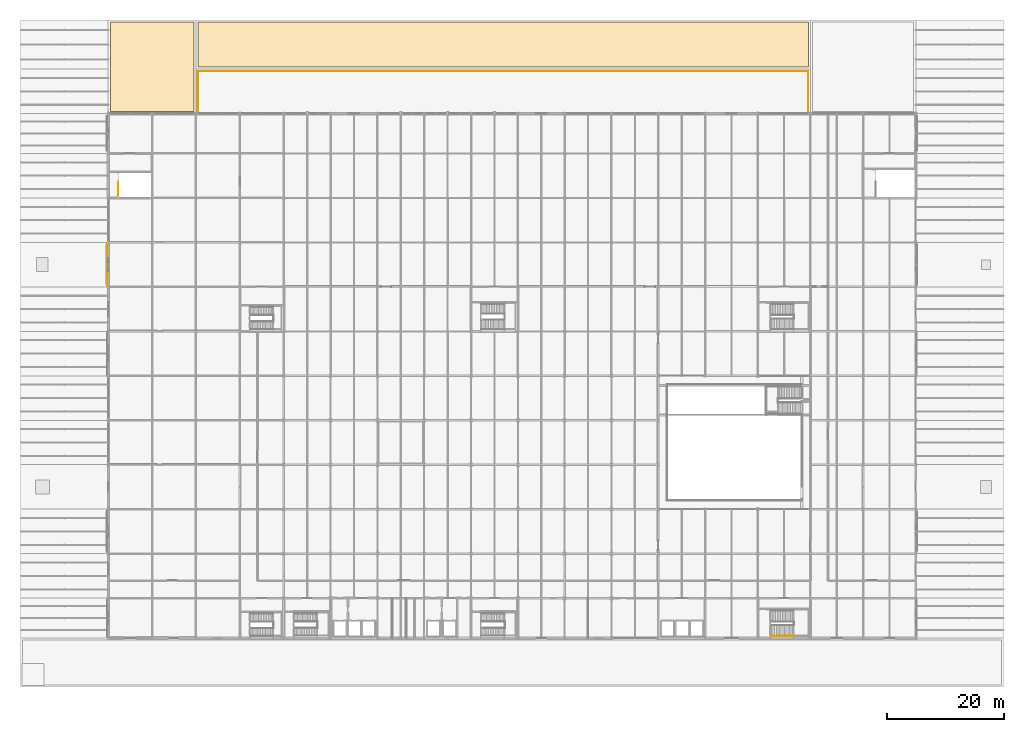
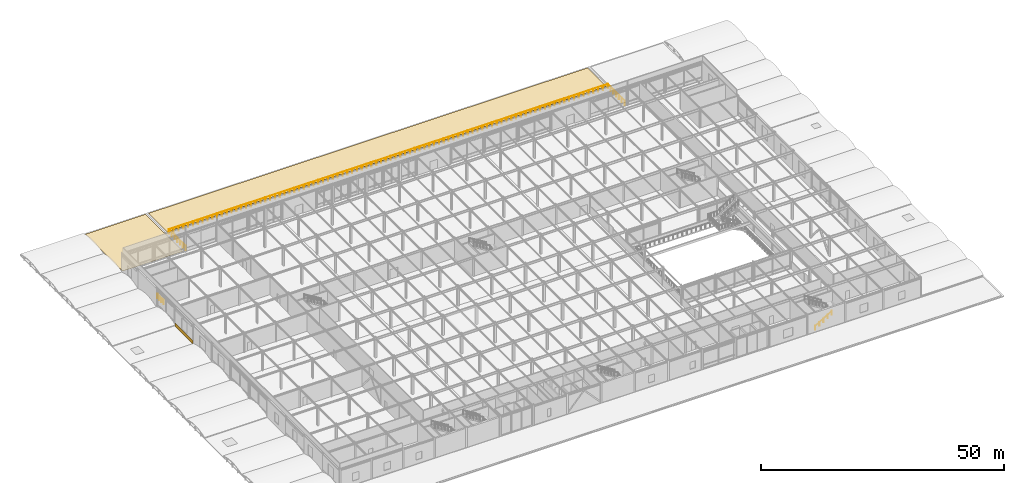
# One storey, part 111 of 113: 3 coverings, 3 railings.
"""IFC4 building model written with IfcOpenShell, lengths in metres."""

from ifc_helpers import new_model, si_unit, direction, frame, origin, origin_2d, place, context, subcontext, project, spatial, polyline, rectangle, circle, outline, extrude, material, layer, layer_set, type_object, element, save


model = new_model("IFC4")

# Units and contexts
model_context = context("Model", 3, precision=1e-05, world=origin(), true_north=direction((0.0, 1.0)))
body_context = subcontext(model_context, "Body", "Model", "MODEL_VIEW")
ifc_project = project(units=[si_unit("LENGTHUNIT", "METRE"), si_unit("AREAUNIT", "SQUARE_METRE"), si_unit("VOLUMEUNIT", "CUBIC_METRE"), si_unit("PLANEANGLEUNIT", "RADIAN"), si_unit("MASSUNIT", "GRAM", prefix="KILO")], contexts=[model_context])

# Site, building, storey
site_placement = place(None, origin())
site = spatial("IfcSite", under=ifc_project, at=site_placement, CompositionType="ELEMENT")
building_placement = place(site_placement, origin())
building = spatial("IfcBuilding", under=site, at=building_placement, Name="Shalkamar Park Central Library", CompositionType="ELEMENT")
storey_placement = place(building_placement, frame((0.0, 0.0, 5.39990234375)))
storey = spatial("IfcBuildingStorey", under=building, at=storey_placement, Name="L02", CompositionType="ELEMENT", Elevation=5.39990234375)

# Coverings
ifc_material_1 = material(Name="SBS modified bitumen roofing membrane", Category="other")
ifc_layer_1 = layer(ifc_material_1, 0.030029296875)
ifc_layer_set_1 = layer_set([ifc_layer_1], Name="ColdClimateRoofMembrane")
covering_type_1 = type_object("IfcCoveringType", Name="Cold Climate Roof Membrane", PredefinedType="ROOFING", material=ifc_layer_set_1)
covering_1_placement = place(storey_placement, origin())
element("IfcCovering", 1, at=covering_1_placement, inside=storey, type_object=covering_type_1, Name="SBS Roof Waterproofing Membrane RF-L01-NW", PredefinedType="ROOFING", context=body_context, shape_type="SweptSolid", body=[
    extrude(outline(polyline([(135.35009765625, 338.35009765625), (149.64990234375, 338.35009765625), (149.64990234375, 353.64990234375), (135.35009765625, 353.64990234375), (135.35009765625, 338.35009765625)])), origin(), (0.0, 0.0, 1.0), 0.030029296875),
])
covering_2_placement = place(storey_placement, origin())
element("IfcCovering", 2, at=covering_2_placement, inside=storey, type_object=covering_type_1, Name="SBS Roof Waterproofing Membrane RF-L01-NN", PredefinedType="ROOFING", context=body_context, shape_type="SweptSolid", body=[
    extrude(outline(polyline([(150.35009765625, 345.949951171875), (254.64990234375, 345.949951171875), (254.64990234375, 353.64990234375), (150.35009765625, 353.64990234375), (150.35009765625, 345.949951171875)])), origin(), (0.0, 0.0, 1.0), 0.030029296875),
])
ifc_material_2 = material(Name="Granite and travertine stone cladding", Category="masonry")
ifc_layer_2 = layer(ifc_material_2, 0.0400390625)
ifc_layer_set_2 = layer_set([ifc_layer_2], Name="GraniteTravertineCladdingPanel")
covering_type_2 = type_object("IfcCoveringType", Name="Granite Travertine Cladding Panel", PredefinedType="CLADDING", material=ifc_layer_set_2)
covering_3_placement = place(storey_placement, frame((134.839111328125, 312.199951171875, 0.0), z_axis=(0.0, 0.0, 1.0), x_axis=(1.0, 0.0, 0.0)))
element("IfcCovering", 3, at=covering_3_placement, inside=storey, type_object=covering_type_2, Name="Granite and Travertine Cladding Panel L02-013", PredefinedType="CLADDING", context=body_context, shape_type="SweptSolid", body=[
    extrude(rectangle(XDim=0.0400390625, YDim=7.2880859375, at=origin_2d()), origin(), (0.0, 0.0, 1.0), 0.85009765625),
])

# Railings
ifc_material_3 = material(Name="Steel S355", Category="steel")
railing_type_1 = type_object("IfcRailingType", Name="Stair Guardrail 1100", PredefinedType="GUARDRAIL", material=ifc_material_3)
railing_1_placement = place(storey_placement, frame((136.715087890625, 323.8349609375, 0.0)))
element("IfcRailing", 4, at=railing_1_placement, inside=storey, type_object=railing_type_1, Name="Stair Arrival Well Guardrail ST-P5 (L02)", PredefinedType="GUARDRAIL", context=body_context, shape_type="SweptSolid", body=[
    extrude(circle(Radius=0.02392578125, at=origin_2d()), frame((0.0, 0.0, 1.076171875), z_axis=(0.0, 1.0, 0.0), x_axis=(-1.0, 0.0, 0.0)), (0.0, 0.0, 1.0), 2.5400390625),
    extrude(circle(Radius=0.02099609375, at=origin_2d()), origin(), (0.0, 0.0, 1.0), 1.052001953125),
    extrude(circle(Radius=0.02099609375, at=origin_2d()), frame((0.0, 0.8466796875, 0.0)), (0.0, 0.0, 1.0), 1.052001953125),
    extrude(circle(Radius=0.02099609375, at=origin_2d()), frame((0.0, 1.693359375, 0.0)), (0.0, 0.0, 1.0), 1.052001953125),
    extrude(circle(Radius=0.02099609375, at=origin_2d()), frame((0.0, 2.5400390625, 0.0)), (0.0, 0.0, 1.0), 1.052001953125),
])
railing_type_2 = type_object("IfcRailingType", Name="Stair Pitched Handrail 920", PredefinedType="HANDRAIL", material=ifc_material_3)
railing_2_placement = place(storey_placement, frame((248.22509765625, 248.7548828125, 0.170166015625)))
element("IfcRailing", 5, at=railing_2_placement, inside=storey, type_object=railing_type_2, Name="Stair Wall Handrail ST-P3-L02 Flight 1", PredefinedType="HANDRAIL", context=body_context, shape_type="SweptSolid", body=[
    extrude(circle(Radius=0.02392578125, at=origin_2d()), frame((0.0, 0.0, 0.89599609375), z_axis=(0.854794262968, 0.0, 0.518967020143), x_axis=(0.0, 1.0, 0.0)), (0.0, 0.0, 1.0), 4.585693359375),
    extrude(circle(Radius=0.02099609375, at=origin_2d()), origin(), (0.0, 0.0, 1.0), 0.871826171875),
    extrude(circle(Radius=0.02099609375, at=origin_2d()), frame((0.97998046875, 0.0, 0.594970703125)), (0.0, 0.0, 1.0), 0.871826171875),
    extrude(circle(Radius=0.02099609375, at=origin_2d()), frame((1.9599609375, 0.0, 1.18994140625)), (0.0, 0.0, 1.0), 0.871826171875),
    extrude(circle(Radius=0.02099609375, at=origin_2d()), frame((2.93994140625, 0.0, 1.784912109375)), (0.0, 0.0, 1.0), 0.871826171875),
    extrude(circle(Radius=0.02099609375, at=origin_2d()), frame((3.919921875, 0.0, 2.3798828125)), (0.0, 0.0, 1.0), 0.871826171875),
])
railing_type_3 = type_object("IfcRailingType", Name="Terrace Balustrade Guard 1100", PredefinedType="GUARDRAIL", material=ifc_material_3)
railing_3_placement = place(storey_placement, frame((150.360107421875, 338.360107421875, 0.0)))
element("IfcRailing", 6, at=railing_3_placement, inside=storey, type_object=railing_type_3, Name="Terrace Balustrade Guardrail TER-L02-N", PredefinedType="GUARDRAIL", context=body_context, shape_type="SweptSolid", body=[
    extrude(circle(Radius=0.02392578125, at=origin_2d()), frame((0.0, 0.0, 1.076171875), z_axis=(0.0, 1.0, 0.0), x_axis=(-1.0, 0.0, 0.0)), (0.0, 0.0, 1.0), 6.8798828125),
    extrude(circle(Radius=0.02392578125, at=origin_2d()), frame((0.0, 6.8798828125, 1.076171875), z_axis=(1.0, 0.0, 0.0), x_axis=(0.0, 1.0, 0.0)), (0.0, 0.0, 1.0), 104.27978515625),
    extrude(circle(Radius=0.02392578125, at=origin_2d()), frame((104.27978515625, 6.8798828125, 1.076171875), z_axis=(0.0, -1.0, 0.0), x_axis=(1.0, 0.0, 0.0)), (0.0, 0.0, 1.0), 6.8798828125),
    extrude(circle(Radius=0.02099609375, at=origin_2d()), origin(), (0.0, 0.0, 1.0), 1.052001953125),
    extrude(circle(Radius=0.02099609375, at=origin_2d()), frame((0.0, 1.146728515625, 0.0)), (0.0, 0.0, 1.0), 1.052001953125),
    extrude(circle(Radius=0.02099609375, at=origin_2d()), frame((0.0, 2.293212890625, 0.0)), (0.0, 0.0, 1.0), 1.052001953125),
    extrude(circle(Radius=0.02099609375, at=origin_2d()), frame((0.0, 3.43994140625, 0.0)), (0.0, 0.0, 1.0), 1.052001953125),
    extrude(circle(Radius=0.02099609375, at=origin_2d()), frame((0.0, 4.586669921875, 0.0)), (0.0, 0.0, 1.0), 1.052001953125),
    extrude(circle(Radius=0.02099609375, at=origin_2d()), frame((0.0, 5.733154296875, 0.0)), (0.0, 0.0, 1.0), 1.052001953125),
    extrude(circle(Radius=0.02099609375, at=origin_2d()), frame((0.0, 6.8798828125, 0.0)), (0.0, 0.0, 1.0), 1.052001953125),
    extrude(circle(Radius=0.02099609375, at=origin_2d()), frame((1.14599609375, 6.8798828125, 0.0)), (0.0, 0.0, 1.0), 1.052001953125),
    extrude(circle(Radius=0.02099609375, at=origin_2d()), frame((2.291748046875, 6.8798828125, 0.0)), (0.0, 0.0, 1.0), 1.052001953125),
    extrude(circle(Radius=0.02099609375, at=origin_2d()), frame((3.437744140625, 6.8798828125, 0.0)), (0.0, 0.0, 1.0), 1.052001953125),
    extrude(circle(Radius=0.02099609375, at=origin_2d()), frame((4.583740234375, 6.8798828125, 0.0)), (0.0, 0.0, 1.0), 1.052001953125),
    extrude(circle(Radius=0.02099609375, at=origin_2d()), frame((5.729736328125, 6.8798828125, 0.0)), (0.0, 0.0, 1.0), 1.052001953125),
    extrude(circle(Radius=0.02099609375, at=origin_2d()), frame((6.87548828125, 6.8798828125, 0.0)), (0.0, 0.0, 1.0), 1.052001953125),
    extrude(circle(Radius=0.02099609375, at=origin_2d()), frame((8.021484375, 6.8798828125, 0.0)), (0.0, 0.0, 1.0), 1.052001953125),
    extrude(circle(Radius=0.02099609375, at=origin_2d()), frame((9.16748046875, 6.8798828125, 0.0)), (0.0, 0.0, 1.0), 1.052001953125),
    extrude(circle(Radius=0.02099609375, at=origin_2d()), frame((10.3134765625, 6.8798828125, 0.0)), (0.0, 0.0, 1.0), 1.052001953125),
    extrude(circle(Radius=0.02099609375, at=origin_2d()), frame((11.459228515625, 6.8798828125, 0.0)), (0.0, 0.0, 1.0), 1.052001953125),
    extrude(circle(Radius=0.02099609375, at=origin_2d()), frame((12.605224609375, 6.8798828125, 0.0)), (0.0, 0.0, 1.0), 1.052001953125),
    extrude(circle(Radius=0.02099609375, at=origin_2d()), frame((13.751220703125, 6.8798828125, 0.0)), (0.0, 0.0, 1.0), 1.052001953125),
    extrude(circle(Radius=0.02099609375, at=origin_2d()), frame((14.897216796875, 6.8798828125, 0.0)), (0.0, 0.0, 1.0), 1.052001953125),
    extrude(circle(Radius=0.02099609375, at=origin_2d()), frame((16.04296875, 6.8798828125, 0.0)), (0.0, 0.0, 1.0), 1.052001953125),
    extrude(circle(Radius=0.02099609375, at=origin_2d()), frame((17.18896484375, 6.8798828125, 0.0)), (0.0, 0.0, 1.0), 1.052001953125),
    extrude(circle(Radius=0.02099609375, at=origin_2d()), frame((18.3349609375, 6.8798828125, 0.0)), (0.0, 0.0, 1.0), 1.052001953125),
    extrude(circle(Radius=0.02099609375, at=origin_2d()), frame((19.48095703125, 6.8798828125, 0.0)), (0.0, 0.0, 1.0), 1.052001953125),
    extrude(circle(Radius=0.02099609375, at=origin_2d()), frame((20.626708984375, 6.8798828125, 0.0)), (0.0, 0.0, 1.0), 1.052001953125),
    extrude(circle(Radius=0.02099609375, at=origin_2d()), frame((21.772705078125, 6.8798828125, 0.0)), (0.0, 0.0, 1.0), 1.052001953125),
    extrude(circle(Radius=0.02099609375, at=origin_2d()), frame((22.918701171875, 6.8798828125, 0.0)), (0.0, 0.0, 1.0), 1.052001953125),
    extrude(circle(Radius=0.02099609375, at=origin_2d()), frame((24.064453125, 6.8798828125, 0.0)), (0.0, 0.0, 1.0), 1.052001953125),
    extrude(circle(Radius=0.02099609375, at=origin_2d()), frame((25.21044921875, 6.8798828125, 0.0)), (0.0, 0.0, 1.0), 1.052001953125),
    extrude(circle(Radius=0.02099609375, at=origin_2d()), frame((26.3564453125, 6.8798828125, 0.0)), (0.0, 0.0, 1.0), 1.052001953125),
    extrude(circle(Radius=0.02099609375, at=origin_2d()), frame((27.50244140625, 6.8798828125, 0.0)), (0.0, 0.0, 1.0), 1.052001953125),
    extrude(circle(Radius=0.02099609375, at=origin_2d()), frame((28.648193359375, 6.8798828125, 0.0)), (0.0, 0.0, 1.0), 1.052001953125),
    extrude(circle(Radius=0.02099609375, at=origin_2d()), frame((29.794189453125, 6.8798828125, 0.0)), (0.0, 0.0, 1.0), 1.052001953125),
    extrude(circle(Radius=0.02099609375, at=origin_2d()), frame((30.940185546875, 6.8798828125, 0.0)), (0.0, 0.0, 1.0), 1.052001953125),
    extrude(circle(Radius=0.02099609375, at=origin_2d()), frame((32.086181640625, 6.8798828125, 0.0)), (0.0, 0.0, 1.0), 1.052001953125),
    extrude(circle(Radius=0.02099609375, at=origin_2d()), frame((33.23193359375, 6.8798828125, 0.0)), (0.0, 0.0, 1.0), 1.052001953125),
    extrude(circle(Radius=0.02099609375, at=origin_2d()), frame((34.3779296875, 6.8798828125, 0.0)), (0.0, 0.0, 1.0), 1.052001953125),
    extrude(circle(Radius=0.02099609375, at=origin_2d()), frame((35.52392578125, 6.8798828125, 0.0)), (0.0, 0.0, 1.0), 1.052001953125),
    extrude(circle(Radius=0.02099609375, at=origin_2d()), frame((36.669921875, 6.8798828125, 0.0)), (0.0, 0.0, 1.0), 1.052001953125),
    extrude(circle(Radius=0.02099609375, at=origin_2d()), frame((37.815673828125, 6.8798828125, 0.0)), (0.0, 0.0, 1.0), 1.052001953125),
    extrude(circle(Radius=0.02099609375, at=origin_2d()), frame((38.961669921875, 6.8798828125, 0.0)), (0.0, 0.0, 1.0), 1.052001953125),
    extrude(circle(Radius=0.02099609375, at=origin_2d()), frame((40.107666015625, 6.8798828125, 0.0)), (0.0, 0.0, 1.0), 1.052001953125),
    extrude(circle(Radius=0.02099609375, at=origin_2d()), frame((41.253662109375, 6.8798828125, 0.0)), (0.0, 0.0, 1.0), 1.052001953125),
    extrude(circle(Radius=0.02099609375, at=origin_2d()), frame((42.3994140625, 6.8798828125, 0.0)), (0.0, 0.0, 1.0), 1.052001953125),
    extrude(circle(Radius=0.02099609375, at=origin_2d()), frame((43.54541015625, 6.8798828125, 0.0)), (0.0, 0.0, 1.0), 1.052001953125),
    extrude(circle(Radius=0.02099609375, at=origin_2d()), frame((44.69140625, 6.8798828125, 0.0)), (0.0, 0.0, 1.0), 1.052001953125),
    extrude(circle(Radius=0.02099609375, at=origin_2d()), frame((45.837158203125, 6.8798828125, 0.0)), (0.0, 0.0, 1.0), 1.052001953125),
    extrude(circle(Radius=0.02099609375, at=origin_2d()), frame((46.983154296875, 6.8798828125, 0.0)), (0.0, 0.0, 1.0), 1.052001953125),
    extrude(circle(Radius=0.02099609375, at=origin_2d()), frame((48.129150390625, 6.8798828125, 0.0)), (0.0, 0.0, 1.0), 1.052001953125),
    extrude(circle(Radius=0.02099609375, at=origin_2d()), frame((49.275146484375, 6.8798828125, 0.0)), (0.0, 0.0, 1.0), 1.052001953125),
    extrude(circle(Radius=0.02099609375, at=origin_2d()), frame((50.4208984375, 6.8798828125, 0.0)), (0.0, 0.0, 1.0), 1.052001953125),
    extrude(circle(Radius=0.02099609375, at=origin_2d()), frame((51.56689453125, 6.8798828125, 0.0)), (0.0, 0.0, 1.0), 1.052001953125),
    extrude(circle(Radius=0.02099609375, at=origin_2d()), frame((52.712890625, 6.8798828125, 0.0)), (0.0, 0.0, 1.0), 1.052001953125),
    extrude(circle(Radius=0.02099609375, at=origin_2d()), frame((53.85888671875, 6.8798828125, 0.0)), (0.0, 0.0, 1.0), 1.052001953125),
    extrude(circle(Radius=0.02099609375, at=origin_2d()), frame((55.004638671875, 6.8798828125, 0.0)), (0.0, 0.0, 1.0), 1.052001953125),
    extrude(circle(Radius=0.02099609375, at=origin_2d()), frame((56.150634765625, 6.8798828125, 0.0)), (0.0, 0.0, 1.0), 1.052001953125),
    extrude(circle(Radius=0.02099609375, at=origin_2d()), frame((57.296630859375, 6.8798828125, 0.0)), (0.0, 0.0, 1.0), 1.052001953125),
    extrude(circle(Radius=0.02099609375, at=origin_2d()), frame((58.442626953125, 6.8798828125, 0.0)), (0.0, 0.0, 1.0), 1.052001953125),
    extrude(circle(Radius=0.02099609375, at=origin_2d()), frame((59.58837890625, 6.8798828125, 0.0)), (0.0, 0.0, 1.0), 1.052001953125),
    extrude(circle(Radius=0.02099609375, at=origin_2d()), frame((60.734375, 6.8798828125, 0.0)), (0.0, 0.0, 1.0), 1.052001953125),
    extrude(circle(Radius=0.02099609375, at=origin_2d()), frame((61.88037109375, 6.8798828125, 0.0)), (0.0, 0.0, 1.0), 1.052001953125),
    extrude(circle(Radius=0.02099609375, at=origin_2d()), frame((63.026123046875, 6.8798828125, 0.0)), (0.0, 0.0, 1.0), 1.052001953125),
    extrude(circle(Radius=0.02099609375, at=origin_2d()), frame((64.172119140625, 6.8798828125, 0.0)), (0.0, 0.0, 1.0), 1.052001953125),
    extrude(circle(Radius=0.02099609375, at=origin_2d()), frame((65.318115234375, 6.8798828125, 0.0)), (0.0, 0.0, 1.0), 1.052001953125),
    extrude(circle(Radius=0.02099609375, at=origin_2d()), frame((66.464111328125, 6.8798828125, 0.0)), (0.0, 0.0, 1.0), 1.052001953125),
    extrude(circle(Radius=0.02099609375, at=origin_2d()), frame((67.60986328125, 6.8798828125, 0.0)), (0.0, 0.0, 1.0), 1.052001953125),
    extrude(circle(Radius=0.02099609375, at=origin_2d()), frame((68.755859375, 6.8798828125, 0.0)), (0.0, 0.0, 1.0), 1.052001953125),
    extrude(circle(Radius=0.02099609375, at=origin_2d()), frame((69.90185546875, 6.8798828125, 0.0)), (0.0, 0.0, 1.0), 1.052001953125),
    extrude(circle(Radius=0.02099609375, at=origin_2d()), frame((71.0478515625, 6.8798828125, 0.0)), (0.0, 0.0, 1.0), 1.052001953125),
    extrude(circle(Radius=0.02099609375, at=origin_2d()), frame((72.193603515625, 6.8798828125, 0.0)), (0.0, 0.0, 1.0), 1.052001953125),
    extrude(circle(Radius=0.02099609375, at=origin_2d()), frame((73.339599609375, 6.8798828125, 0.0)), (0.0, 0.0, 1.0), 1.052001953125),
    extrude(circle(Radius=0.02099609375, at=origin_2d()), frame((74.485595703125, 6.8798828125, 0.0)), (0.0, 0.0, 1.0), 1.052001953125),
    extrude(circle(Radius=0.02099609375, at=origin_2d()), frame((75.631591796875, 6.8798828125, 0.0)), (0.0, 0.0, 1.0), 1.052001953125),
    extrude(circle(Radius=0.02099609375, at=origin_2d()), frame((76.77734375, 6.8798828125, 0.0)), (0.0, 0.0, 1.0), 1.052001953125),
    extrude(circle(Radius=0.02099609375, at=origin_2d()), frame((77.92333984375, 6.8798828125, 0.0)), (0.0, 0.0, 1.0), 1.052001953125),
    extrude(circle(Radius=0.02099609375, at=origin_2d()), frame((79.0693359375, 6.8798828125, 0.0)), (0.0, 0.0, 1.0), 1.052001953125),
    extrude(circle(Radius=0.02099609375, at=origin_2d()), frame((80.21533203125, 6.8798828125, 0.0)), (0.0, 0.0, 1.0), 1.052001953125),
    extrude(circle(Radius=0.02099609375, at=origin_2d()), frame((81.361083984375, 6.8798828125, 0.0)), (0.0, 0.0, 1.0), 1.052001953125),
    extrude(circle(Radius=0.02099609375, at=origin_2d()), frame((82.507080078125, 6.8798828125, 0.0)), (0.0, 0.0, 1.0), 1.052001953125),
    extrude(circle(Radius=0.02099609375, at=origin_2d()), frame((83.653076171875, 6.8798828125, 0.0)), (0.0, 0.0, 1.0), 1.052001953125),
    extrude(circle(Radius=0.02099609375, at=origin_2d()), frame((84.798828125, 6.8798828125, 0.0)), (0.0, 0.0, 1.0), 1.052001953125),
    extrude(circle(Radius=0.02099609375, at=origin_2d()), frame((85.94482421875, 6.8798828125, 0.0)), (0.0, 0.0, 1.0), 1.052001953125),
    extrude(circle(Radius=0.02099609375, at=origin_2d()), frame((87.0908203125, 6.8798828125, 0.0)), (0.0, 0.0, 1.0), 1.052001953125),
    extrude(circle(Radius=0.02099609375, at=origin_2d()), frame((88.23681640625, 6.8798828125, 0.0)), (0.0, 0.0, 1.0), 1.052001953125),
    extrude(circle(Radius=0.02099609375, at=origin_2d()), frame((89.382568359375, 6.8798828125, 0.0)), (0.0, 0.0, 1.0), 1.052001953125),
    extrude(circle(Radius=0.02099609375, at=origin_2d()), frame((90.528564453125, 6.8798828125, 0.0)), (0.0, 0.0, 1.0), 1.052001953125),
    extrude(circle(Radius=0.02099609375, at=origin_2d()), frame((91.674560546875, 6.8798828125, 0.0)), (0.0, 0.0, 1.0), 1.052001953125),
    extrude(circle(Radius=0.02099609375, at=origin_2d()), frame((92.820556640625, 6.8798828125, 0.0)), (0.0, 0.0, 1.0), 1.052001953125),
    extrude(circle(Radius=0.02099609375, at=origin_2d()), frame((93.96630859375, 6.8798828125, 0.0)), (0.0, 0.0, 1.0), 1.052001953125),
    extrude(circle(Radius=0.02099609375, at=origin_2d()), frame((95.1123046875, 6.8798828125, 0.0)), (0.0, 0.0, 1.0), 1.052001953125),
    extrude(circle(Radius=0.02099609375, at=origin_2d()), frame((96.25830078125, 6.8798828125, 0.0)), (0.0, 0.0, 1.0), 1.052001953125),
    extrude(circle(Radius=0.02099609375, at=origin_2d()), frame((97.404296875, 6.8798828125, 0.0)), (0.0, 0.0, 1.0), 1.052001953125),
    extrude(circle(Radius=0.02099609375, at=origin_2d()), frame((98.550048828125, 6.8798828125, 0.0)), (0.0, 0.0, 1.0), 1.052001953125),
    extrude(circle(Radius=0.02099609375, at=origin_2d()), frame((99.696044921875, 6.8798828125, 0.0)), (0.0, 0.0, 1.0), 1.052001953125),
    extrude(circle(Radius=0.02099609375, at=origin_2d()), frame((100.842041015625, 6.8798828125, 0.0)), (0.0, 0.0, 1.0), 1.052001953125),
    extrude(circle(Radius=0.02099609375, at=origin_2d()), frame((101.988037109375, 6.8798828125, 0.0)), (0.0, 0.0, 1.0), 1.052001953125),
    extrude(circle(Radius=0.02099609375, at=origin_2d()), frame((103.1337890625, 6.8798828125, 0.0)), (0.0, 0.0, 1.0), 1.052001953125),
    extrude(circle(Radius=0.02099609375, at=origin_2d()), frame((104.27978515625, 6.8798828125, 0.0)), (0.0, 0.0, 1.0), 1.052001953125),
    extrude(circle(Radius=0.02099609375, at=origin_2d()), frame((104.27978515625, 5.733154296875, 0.0)), (0.0, 0.0, 1.0), 1.052001953125),
    extrude(circle(Radius=0.02099609375, at=origin_2d()), frame((104.27978515625, 4.586669921875, 0.0)), (0.0, 0.0, 1.0), 1.052001953125),
    extrude(circle(Radius=0.02099609375, at=origin_2d()), frame((104.27978515625, 3.43994140625, 0.0)), (0.0, 0.0, 1.0), 1.052001953125),
    extrude(circle(Radius=0.02099609375, at=origin_2d()), frame((104.27978515625, 2.293212890625, 0.0)), (0.0, 0.0, 1.0), 1.052001953125),
    extrude(circle(Radius=0.02099609375, at=origin_2d()), frame((104.27978515625, 1.146728515625, 0.0)), (0.0, 0.0, 1.0), 1.052001953125),
    extrude(circle(Radius=0.02099609375, at=origin_2d()), frame((104.27978515625, 0.0, 0.0)), (0.0, 0.0, 1.0), 1.052001953125),
])

save(model, "model.ifc")
